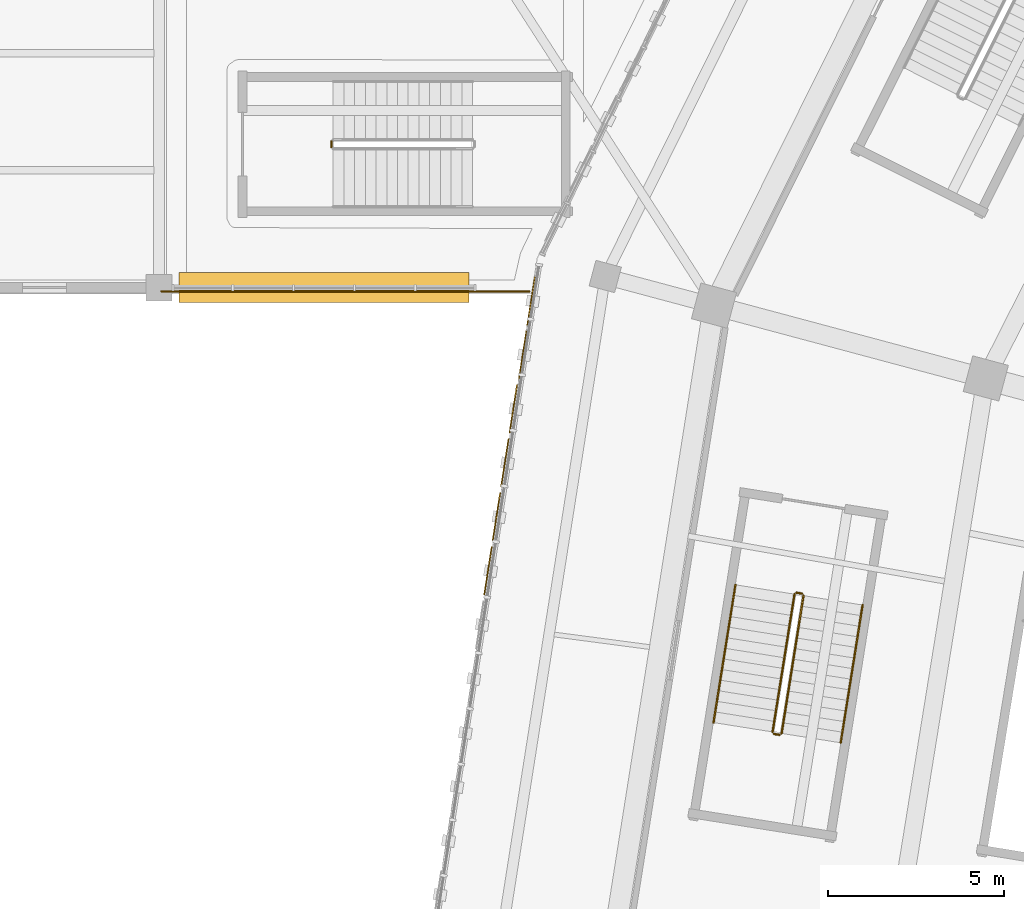
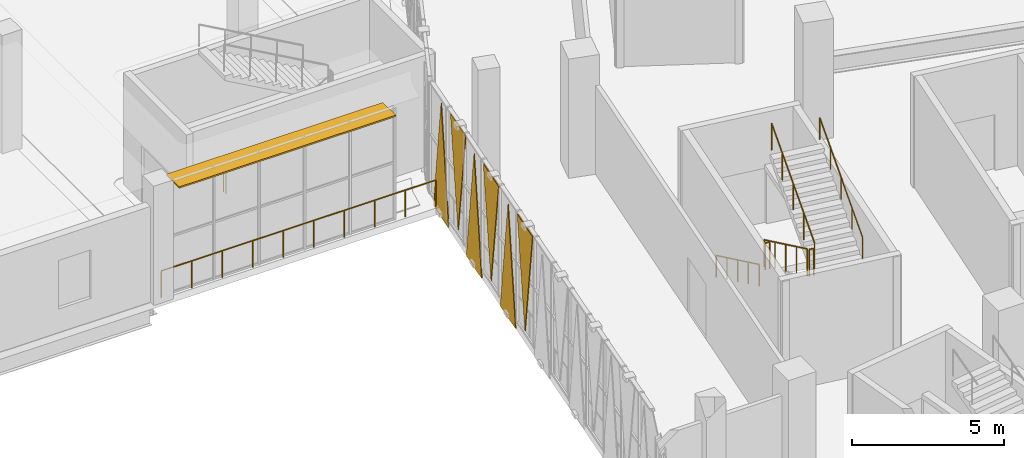
# One storey, part 138 of 179: 8 railings, 6 coverings, 1 shading device.
"""IFC4 building model written with IfcOpenShell, lengths in metres."""

from ifc_helpers import new_model, si_unit, direction, frame, origin, origin_2d, place, context, subcontext, project, spatial, polyline, rectangle, circle, outline, extrude, material, layer, layer_set, type_object, element, save


model = new_model("IFC4")

# Units and contexts
model_context = context("Model", 3, precision=1e-05, world=origin(), true_north=direction((0.0, 1.0)))
body_context = subcontext(model_context, "Body", "Model", "MODEL_VIEW")
ifc_project = project(units=[si_unit("LENGTHUNIT", "METRE"), si_unit("AREAUNIT", "SQUARE_METRE"), si_unit("VOLUMEUNIT", "CUBIC_METRE"), si_unit("PLANEANGLEUNIT", "RADIAN"), si_unit("MASSUNIT", "GRAM", prefix="KILO")], contexts=[model_context])

# Site, building, storey
site_placement = place(None, origin())
site = spatial("IfcSite", under=ifc_project, at=site_placement, CompositionType="ELEMENT")
building_placement = place(site_placement, origin())
building = spatial("IfcBuilding", under=site, at=building_placement, Name="Zevraka Park Crest Stadium", CompositionType="ELEMENT")
storey_placement = place(building_placement, frame((0.0, 0.0, 10.199951171875)))
storey = spatial("IfcBuildingStorey", under=building, at=storey_placement, Name="L02", CompositionType="ELEMENT", Elevation=10.199951171875)

# Coverings
ifc_material_1 = material(Name="Architectural golden-bronze perforated aluminium", Category="aluminium")
ifc_layer_1 = layer(ifc_material_1, 0.034912109375)
ifc_layer_set_1 = layer_set([ifc_layer_1], Name="Architectural golden-bronze perforated aluminium")
covering_type = type_object("IfcCoveringType", Name="CLD01", PredefinedType="CLADDING", material=ifc_layer_set_1)
covering_1_placement = place(storey_placement, frame((19.672119140625, 112.31103515625, -0.239990234375), z_axis=(-0.988002001751, 0.154441051019, 7.9344844e-05), x_axis=(-0.154441051505, -0.988002004861, 0.0)))
element("IfcCovering", 1, at=covering_1_placement, inside=storey, type_object=covering_type, Name="Triangular Golden-Bronze Perforated Cladding L02-11-1", PredefinedType="CLADDING", context=body_context, shape_type="SweptSolid", body=[
    extrude(outline(polyline([(0.0, 0.0), (1.392686002386334, 0.0), (0.6962864431909069, 4.560058608104163), (0.0, 0.0)])), origin(), (0.0, 0.0, -1.0), 0.034912109375),
])
covering_2_placement = place(storey_placement, frame((19.218017578125, 109.40087890625, 4.47998046875), z_axis=(-0.988006174558, 0.154414305444, 0.000145981007), x_axis=(0.154414307089, 0.988006185085, 0.0)))
element("IfcCovering", 2, at=covering_2_placement, inside=storey, type_object=covering_type, Name="Triangular Golden-Bronze Perforated Cladding L02-11-2", PredefinedType="CLADDING", context=body_context, shape_type="SweptSolid", body=[
    extrude(outline(polyline([(0.0, 0.0), (1.3929272143236278, 0.0), (0.6964899663719751, 4.260009811016373), (0.0, 0.0)])), origin(), (0.0, 0.0, -1.0), 0.034912109375),
])
covering_3_placement = place(storey_placement, frame((19.193115234375, 109.242919921875, -0.239990234375), z_axis=(0.988001996222, -0.154441050155, 0.000132241406), x_axis=(-0.154441051505, -0.988002004861, 0.0)))
element("IfcCovering", 3, at=covering_3_placement, inside=storey, type_object=covering_type, Name="Triangular Golden-Bronze Perforated Cladding L02-11-3", PredefinedType="CLADDING", context=body_context, shape_type="SweptSolid", body=[
    extrude(outline(polyline([(0.0, 0.0), (1.392686002386334, 0.0), (0.6964372645302674, -4.560058633622674), (0.0, 0.0)])), origin(), (0.0, 0.0, -1.0), 0.034912109375),
])
covering_4_placement = place(storey_placement, frame((18.738037109375, 106.33203125, 4.47998046875), z_axis=(0.988028733421, -0.15426992289, 0.000113247605), x_axis=(0.15426992388, 0.988028739757, 0.0)))
element("IfcCovering", 4, at=covering_4_placement, inside=storey, type_object=covering_type, Name="Triangular Golden-Bronze Perforated Cladding L02-11-4", PredefinedType="CLADDING", context=body_context, shape_type="SweptSolid", body=[
    extrude(outline(polyline([(0.0, 0.0), (1.3926483179408142, 0.0), (0.6963994860816766, -4.2600097929423555), (0.0, 0.0)])), origin(), (0.0, 0.0, -1.0), 0.034912109375),
])
covering_5_placement = place(storey_placement, frame((18.714111328125, 106.174072265625, -0.239990234375), z_axis=(0.988001996222, -0.154441050155, 0.000132241406), x_axis=(-0.154441051505, -0.988002004861, 0.0)))
element("IfcCovering", 5, at=covering_5_placement, inside=storey, type_object=covering_type, Name="Triangular Golden-Bronze Perforated Cladding L02-11-5", PredefinedType="CLADDING", context=body_context, shape_type="SweptSolid", body=[
    extrude(outline(polyline([(0.0, 0.0), (1.392686002386334, 0.0), (0.6964372645302674, -4.560058633622674), (0.0, 0.0)])), origin(), (0.0, 0.0, -1.0), 0.034912109375),
])
covering_6_placement = place(storey_placement, frame((18.259033203125, 103.263916015625, 4.47998046875), z_axis=(0.988002001298, -0.154441050948, 8.4933406e-05), x_axis=(0.154441051505, 0.988002004861, 0.0)))
element("IfcCovering", 6, at=covering_6_placement, inside=storey, type_object=covering_type, Name="Triangular Golden-Bronze Perforated Cladding L02-11-6", PredefinedType="CLADDING", context=body_context, shape_type="SweptSolid", body=[
    extrude(outline(polyline([(0.0, 0.0), (1.392686002386334, -3.3881317890172014e-21), (0.6963995591954273, -4.260009780990182), (0.0, 0.0)])), origin(), (0.0, 0.0, -1.0), 0.034912109375),
])

# Railings
ifc_material_2 = material(Name="Galvanised and bronze-finished steel balustrade", Category="steel")
railing_type_1 = type_object("IfcRailingType", Name="GR01", PredefinedType="GUARDRAIL", material=ifc_material_2)
railing_1_placement = place(storey_placement, frame((19.52587890625, 111.89501953125, 0.0)))
element("IfcRailing", 7, at=railing_1_placement, inside=storey, type_object=railing_type_1, Name="Deck Edge Protection Guardrail GR01 L02-50", PredefinedType="GUARDRAIL", context=body_context, shape_type="SweptSolid", body=[
    extrude(circle(Radius=0.02392578125, at=origin_2d()), frame((0.0, 0.0, 1.076171875), z_axis=(-1.0, 0.0, 0.0), x_axis=(0.0, -1.0, 0.0)), (0.0, 0.0, 1.0), 10.4599609375),
    extrude(circle(Radius=0.02099609375, at=origin_2d()), origin(), (0.0, 0.0, 1.0), 1.052001953125),
    extrude(circle(Radius=0.02099609375, at=origin_2d()), frame((-1.162109375, 0.0, 0.0)), (0.0, 0.0, 1.0), 1.052001953125),
    extrude(circle(Radius=0.02099609375, at=origin_2d()), frame((-2.324462890625, 0.0, 0.0)), (0.0, 0.0, 1.0), 1.052001953125),
    extrude(circle(Radius=0.02099609375, at=origin_2d()), frame((-3.486572265625, 0.0, 0.0)), (0.0, 0.0, 1.0), 1.052001953125),
    extrude(circle(Radius=0.02099609375, at=origin_2d()), frame((-4.64892578125, 0.0, 0.0)), (0.0, 0.0, 1.0), 1.052001953125),
    extrude(circle(Radius=0.02099609375, at=origin_2d()), frame((-5.81103515625, 0.0, 0.0)), (0.0, 0.0, 1.0), 1.052001953125),
    extrude(circle(Radius=0.02099609375, at=origin_2d()), frame((-6.973388671875, 0.0, 0.0)), (0.0, 0.0, 1.0), 1.052001953125),
    extrude(circle(Radius=0.02099609375, at=origin_2d()), frame((-8.135498046875, 0.0, 0.0)), (0.0, 0.0, 1.0), 1.052001953125),
    extrude(circle(Radius=0.02099609375, at=origin_2d()), frame((-9.2978515625, 0.0, 0.0)), (0.0, 0.0, 1.0), 1.052001953125),
    extrude(circle(Radius=0.02099609375, at=origin_2d()), frame((-10.4599609375, 0.0, 0.0)), (0.0, 0.0, 1.0), 1.052001953125),
])
ifc_material_3 = material(Name="Powder-coated tubular steel stairwell guard", Category="steel")
railing_type_2 = type_object("IfcRailingType", Name="GR03", PredefinedType="GUARDRAIL", material=ifc_material_3)
railing_2_placement = place(storey_placement, frame((27.066162109375, 103.285888671875, 0.17138671875)))
element("IfcRailing", 8, at=railing_2_placement, inside=storey, type_object=railing_type_2, Name="L02 ST12 stair guard 1", PredefinedType="GUARDRAIL", context=body_context, shape_type="SweptSolid", body=[
    extrude(circle(Radius=0.02392578125, at=origin_2d()), frame((0.0, 0.0, 1.076171875), z_axis=(-0.137083964475, -0.860880855998, 0.489991977954), x_axis=(0.987557931786, -0.157255624277, 0.0)), (0.0, 0.0, 1.0), 4.548583984375),
    extrude(circle(Radius=0.02099609375, at=origin_2d()), origin(), (0.0, 0.0, 1.0), 1.052001953125),
    extrude(circle(Radius=0.02099609375, at=origin_2d()), frame((-0.15576171875, -0.97900390625, 0.55712890625)), (0.0, 0.0, 1.0), 1.052001953125),
    extrude(circle(Radius=0.02099609375, at=origin_2d()), frame((-0.311767578125, -1.9580078125, 1.1142578125)), (0.0, 0.0, 1.0), 1.052001953125),
    extrude(circle(Radius=0.02099609375, at=origin_2d()), frame((-0.4677734375, -2.936767578125, 1.671630859375)), (0.0, 0.0, 1.0), 1.052001953125),
    extrude(circle(Radius=0.02099609375, at=origin_2d()), frame((-0.62353515625, -3.915771484375, 2.228759765625)), (0.0, 0.0, 1.0), 1.052001953125),
])
railing_3_placement = place(storey_placement, frame((26.484130859375, 99.31298828125, 2.400146484375)))
element("IfcRailing", 9, at=railing_3_placement, inside=storey, type_object=railing_type_2, Name="L02 ST12 stair guard 2", PredefinedType="GUARDRAIL", context=body_context, shape_type="SweptSolid", body=[
    extrude(circle(Radius=0.02392578125, at=origin_2d()), frame((0.0, 0.0, 1.076171875), z_axis=(0.987564153079, -0.157216549872, 0.0), x_axis=(0.157216549872, 0.987564153079, 0.0)), (0.0, 0.0, 1.0), 0.159912109375),
    extrude(circle(Radius=0.02099609375, at=origin_2d()), origin(), (0.0, 0.0, 1.0), 1.052001953125),
    extrude(circle(Radius=0.02099609375, at=origin_2d()), frame((0.157958984375, -0.025146484375, 0.0)), (0.0, 0.0, 1.0), 1.052001953125),
])
railing_4_placement = place(storey_placement, frame((26.69921875, 99.329345703125, 2.571533203125)))
element("IfcRailing", 10, at=railing_4_placement, inside=storey, type_object=railing_type_2, Name="L02 ST12 stair guard 3", PredefinedType="GUARDRAIL", context=body_context, shape_type="SweptSolid", body=[
    extrude(circle(Radius=0.02392578125, at=origin_2d()), frame((0.0, 0.0, 1.076171875), z_axis=(0.13708756972, 0.860903496765, 0.489951188881), x_axis=(-0.987557931786, 0.157255624277, 0.0)), (0.0, 0.0, 1.0), 4.54833984375),
    extrude(circle(Radius=0.02099609375, at=origin_2d()), origin(), (0.0, 0.0, 1.0), 1.052001953125),
    extrude(circle(Radius=0.02099609375, at=origin_2d()), frame((0.15576171875, 0.97900390625, 0.55712890625)), (0.0, 0.0, 1.0), 1.052001953125),
    extrude(circle(Radius=0.02099609375, at=origin_2d()), frame((0.311767578125, 1.9580078125, 1.1142578125)), (0.0, 0.0, 1.0), 1.052001953125),
    extrude(circle(Radius=0.02099609375, at=origin_2d()), frame((0.4677734375, 2.936767578125, 1.67138671875)), (0.0, 0.0, 1.0), 1.052001953125),
    extrude(circle(Radius=0.02099609375, at=origin_2d()), frame((0.62353515625, 3.915771484375, 2.228515625)), (0.0, 0.0, 1.0), 1.052001953125),
])
railing_5_placement = place(storey_placement, frame((27.123291015625, 103.327392578125, 0.0)))
element("IfcRailing", 11, at=railing_5_placement, inside=storey, type_object=railing_type_2, Name="L02 ST12 stair guard 4", PredefinedType="GUARDRAIL", context=body_context, shape_type="SweptSolid", body=[
    extrude(circle(Radius=0.02392578125, at=origin_2d()), frame((0.0, 0.0, 1.076171875), z_axis=(0.987564153079, -0.157216549872, 0.0), x_axis=(0.157216549872, 0.987564153079, 0.0)), (0.0, 0.0, 1.0), 0.159912109375),
    extrude(circle(Radius=0.02099609375, at=origin_2d()), origin(), (0.0, 0.0, 1.0), 1.052001953125),
    extrude(circle(Radius=0.02099609375, at=origin_2d()), frame((0.157958984375, -0.025146484375, 0.0)), (0.0, 0.0, 1.0), 1.052001953125),
])
railing_6_placement = place(storey_placement, frame((13.89990234375, 116.0, 0.0)))
element("IfcRailing", 12, at=railing_6_placement, inside=storey, type_object=railing_type_2, Name="L02 ST48 stair guard 4", PredefinedType="GUARDRAIL", context=body_context, shape_type="SweptSolid", body=[
    extrude(circle(Radius=0.02392578125, at=origin_2d()), frame((0.0, 0.0, 1.076171875), z_axis=(0.0, 1.0, 0.0), x_axis=(-1.0, 0.0, 0.0)), (0.0, 0.0, 1.0), 0.159912109375),
    extrude(circle(Radius=0.02099609375, at=origin_2d()), origin(), (0.0, 0.0, 1.0), 1.052001953125),
    extrude(circle(Radius=0.02099609375, at=origin_2d()), frame((0.0, 0.159912109375, 0.0)), (0.0, 0.0, 1.0), 1.052001953125),
])
ifc_material_4 = material(Name="Brushed stainless steel continuous handrail", Category="steel")
railing_type_3 = type_object("IfcRailingType", Name="HR01", PredefinedType="HANDRAIL", material=ifc_material_4)
railing_7_placement = place(storey_placement, frame((25.38720703125, 103.55322265625, 0.17138671875)))
element("IfcRailing", 13, at=railing_7_placement, inside=storey, type_object=railing_type_3, Name="L02 ST12 stair handrail 1", PredefinedType="HANDRAIL", context=body_context, shape_type="SweptSolid", body=[
    extrude(circle(Radius=0.02392578125, at=origin_2d()), frame((0.0, 0.0, 0.8759765625), z_axis=(-0.137090298971, -0.860866959629, 0.490014619931), x_axis=(0.987556409005, -0.157265186968, 0.0)), (0.0, 0.0, 1.0), 4.54833984375),
    extrude(circle(Radius=0.02099609375, at=origin_2d()), origin(), (0.0, 0.0, 1.0), 0.851806640625),
    extrude(circle(Radius=0.02099609375, at=origin_2d()), frame((-0.15576171875, -0.97900390625, 0.55712890625)), (0.0, 0.0, 1.0), 0.851806640625),
    extrude(circle(Radius=0.02099609375, at=origin_2d()), frame((-0.311767578125, -1.957763671875, 1.1142578125)), (0.0, 0.0, 1.0), 0.851806640625),
    extrude(circle(Radius=0.02099609375, at=origin_2d()), frame((-0.4677734375, -2.9365234375, 1.671630859375)), (0.0, 0.0, 1.0), 0.851806640625),
    extrude(circle(Radius=0.02099609375, at=origin_2d()), frame((-0.62353515625, -3.91552734375, 2.228759765625)), (0.0, 0.0, 1.0), 0.851806640625),
])
railing_8_placement = place(storey_placement, frame((28.378173828125, 99.06201171875, 2.571533203125)))
element("IfcRailing", 14, at=railing_8_placement, inside=storey, type_object=railing_type_3, Name="L02 ST12 stair handrail 2", PredefinedType="HANDRAIL", context=body_context, shape_type="SweptSolid", body=[
    extrude(circle(Radius=0.02392578125, at=origin_2d()), frame((0.0, 0.0, 0.8759765625), z_axis=(0.13708756972, 0.860903496765, 0.489951188881), x_axis=(-0.987557931786, 0.157255624277, 0.0)), (0.0, 0.0, 1.0), 4.54833984375),
    extrude(circle(Radius=0.02099609375, at=origin_2d()), origin(), (0.0, 0.0, 1.0), 0.851806640625),
    extrude(circle(Radius=0.02099609375, at=origin_2d()), frame((0.15576171875, 0.97900390625, 0.55712890625)), (0.0, 0.0, 1.0), 0.851806640625),
    extrude(circle(Radius=0.02099609375, at=origin_2d()), frame((0.311767578125, 1.9580078125, 1.1142578125)), (0.0, 0.0, 1.0), 0.851806640625),
    extrude(circle(Radius=0.02099609375, at=origin_2d()), frame((0.4677734375, 2.936767578125, 1.67138671875)), (0.0, 0.0, 1.0), 0.851806640625),
    extrude(circle(Radius=0.02099609375, at=origin_2d()), frame((0.62353515625, 3.915771484375, 2.228515625)), (0.0, 0.0, 1.0), 0.851806640625),
])

# Shading device
ifc_material_5 = material(Name="Architectural golden-bronze anodised bronze", Category="aluminium")
ifc_layer_2 = layer(ifc_material_5, 0.06005859375)
ifc_layer_set_2 = layer_set([ifc_layer_2], Name="Architectural golden-bronze anodised bronze")
shading_device_type = type_object("IfcShadingDeviceType", Name="SHD01", PredefinedType="USERDEFINED", material=ifc_layer_set_2)
shading_device_placement = place(storey_placement, frame((13.68994140625, 112.0, 4.419921875), z_axis=(0.0, 0.0, 1.0), x_axis=(-1.0, 0.0, 0.0)))
element("IfcShadingDevice", 15, at=shading_device_placement, inside=storey, type_object=shading_device_type, Name="Wing Bronze Solar Screen SHD01 L02-NW-S0-2", ObjectType="SOLAR SCREEN", PredefinedType="USERDEFINED", context=body_context, shape_type="SweptSolid", body=[
    extrude(rectangle(XDim=8.25, YDim=0.85009765625, at=origin_2d()), origin(), (0.0, 0.0, 1.0), 0.06005859375),
])

save(model, "model.ifc")
